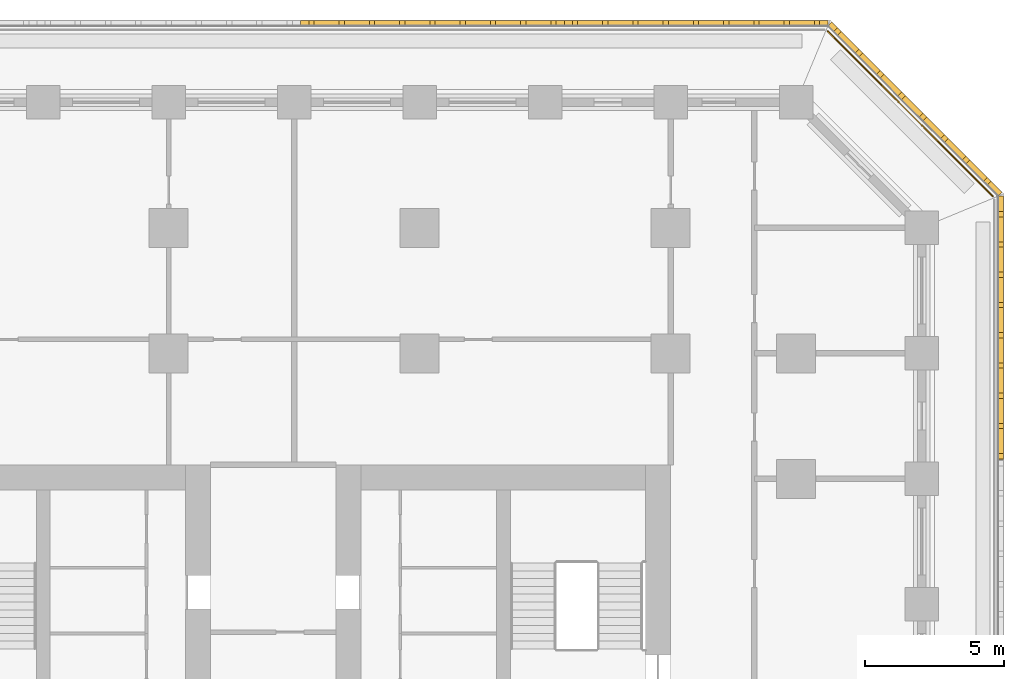
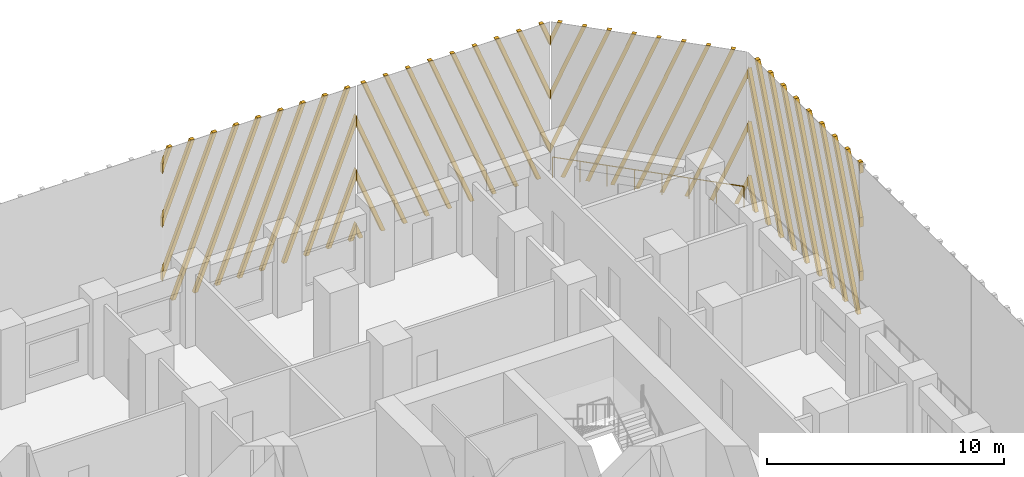
# One storey, part 18 of 19: 4 shading devices, 1 railing.
"""IFC4 building model written with IfcOpenShell, lengths in metres."""

import ifcopenshell
import ifcopenshell.guid

model = None  # the IFC model being written
_history = None  # IfcOwnerHistory: only IFC2X3 demands one
_inside = {}  # id of a spatial element -> (the spatial element, [elements in it])
_under = {}  # id of a project, library or spatial element -> (it, [spatial elements below it])
_declared = {}  # id of a project -> (the project, [libraries it declares])
_typed = {}  # id of a type object -> (the type object, [elements of that type])
_made_of = {}  # id of a material, layer set ... -> (it, [elements and type objects made of it])


def new_model(schema):
    """Start an empty IFC model of exactly this schema.

    Asked for "IFC4X3", IfcOpenShell would pick the latest addendum, in which some entities
    have other attributes; the version numbers below select the first issue.
    IFC2X3 requires an IfcOwnerHistory on every rooted entity: one is made here for all.
    """
    global model, _history
    if schema == "IFC4X3":
        model = ifcopenshell.file(schema_version=(4, 3, 0, 0))
    else:
        model = ifcopenshell.file(schema=schema)
    _inside.clear()
    _under.clear()
    _declared.clear()
    _typed.clear()
    _made_of.clear()
    _history = None
    if model.schema == "IFC2X3":
        org = make("IfcOrganization", Name="unknown")
        user = make(
            "IfcPersonAndOrganization",
            ThePerson=make("IfcPerson", FamilyName="unknown"),
            TheOrganization=org,
        )
        app = make(
            "IfcApplication",
            ApplicationDeveloper=org,
            Version="unknown",
            ApplicationFullName="unknown",
            ApplicationIdentifier="unknown",
        )
        _history = make(
            "IfcOwnerHistory",
            OwningUser=user,
            OwningApplication=app,
            ChangeAction="ADDED",
            CreationDate=0,
        )
    return model


def make(cls, **values):
    """One entity of the class cls with the attributes given. An attribute that is None is left unset."""
    return model.create_entity(
        cls, **{name: value for name, value in values.items() if value is not None}
    )


def rooted(cls, **values):
    """An entity with a GlobalId (a new one), such as an element, a storey or a relation."""
    return make(cls, GlobalId=ifcopenshell.guid.new(), OwnerHistory=_history, **values)


def si_unit(unit_type, name, prefix=None):
    """IfcSIUnit, for example si_unit("LENGTHUNIT", "METRE", prefix="MILLI")."""
    return make("IfcSIUnit", UnitType=unit_type, Prefix=prefix, Name=name)


def assignment(units):
    """IfcUnitAssignment: the units of a project."""
    return None if units is None else make("IfcUnitAssignment", Units=units)


def point(xyz):
    """IfcCartesianPoint."""
    return None if xyz is None else make("IfcCartesianPoint", Coordinates=xyz)


def direction(xyz):
    """IfcDirection."""
    return None if xyz is None else make("IfcDirection", DirectionRatios=xyz)


def frame(location, z_axis=None, x_axis=None):
    """IfcAxis2Placement3D, a coordinate frame: its origin and axes. An axis left out is left unset."""
    return make(
        "IfcAxis2Placement3D",
        Location=point(location),
        Axis=direction(z_axis),
        RefDirection=direction(x_axis),
    )


def frame_2d(location, x_axis=None):
    """IfcAxis2Placement2D, a coordinate frame in the plane: its origin and x axis."""
    return make(
        "IfcAxis2Placement2D", Location=point(location), RefDirection=direction(x_axis)
    )


def origin():
    """The frame at (0, 0, 0) with its axes left unset."""
    return frame((0.0, 0.0, 0.0))


def origin_2d():
    """The frame at (0, 0) in the plane with its x axis left unset."""
    return frame_2d((0.0, 0.0))


def place(relative_to, where):
    """IfcLocalPlacement: puts the frame where relative to a parent placement (None: the world)."""
    return make(
        "IfcLocalPlacement", PlacementRelTo=relative_to, RelativePlacement=where
    )


def context(
    kind, dimensions, precision=None, world=None, true_north=None, identifier=None
):
    """IfcGeometricRepresentationContext, for example the 3D "Model" context."""
    return make(
        "IfcGeometricRepresentationContext",
        ContextIdentifier=identifier,
        ContextType=kind,
        CoordinateSpaceDimension=dimensions,
        Precision=precision,
        WorldCoordinateSystem=world,
        TrueNorth=true_north,
    )


def subcontext(parent, identifier, kind, view, scale=None):
    """IfcGeometricRepresentationSubContext, for example "Body" below "Model"."""
    return make(
        "IfcGeometricRepresentationSubContext",
        ContextIdentifier=identifier,
        ContextType=kind,
        ParentContext=parent,
        TargetScale=scale,
        TargetView=view,
    )


def project(units=None, contexts=None):
    """IfcProject with its units and contexts."""
    return rooted(
        "IfcProject",
        Name="project",
        RepresentationContexts=contexts,
        UnitsInContext=assignment(units),
    )


def spatial(cls, under=None, at=None, **own):
    """A site, building, storey or space (cls), placed at a placement, below another one or the project."""
    s = rooted(cls, ObjectPlacement=at, **own)
    if under is not None:
        _under.setdefault(under.id(), (under, []))[1].append(s)
    return s


def polyline(points):
    """IfcPolyline through the points."""
    return make("IfcPolyline", Points=[point(p) for p in points])


def profile(cls, at=None, kind="AREA", **sizes):
    """A parametric profile (cls). Its sizes go by their IFC names, for example OverallWidth=200.0."""
    return make(cls, ProfileType=kind, Position=at, **sizes)


def circle(**sizes):
    """IfcCircleProfileDef."""
    return profile("IfcCircleProfileDef", **sizes)


def outline(outer, holes=None, kind="AREA"):
    """IfcArbitraryClosedProfileDef: a profile drawn as a closed curve; with holes, ...WithVoids."""
    if holes is None:
        return make("IfcArbitraryClosedProfileDef", ProfileType=kind, OuterCurve=outer)
    return make(
        "IfcArbitraryProfileDefWithVoids",
        ProfileType=kind,
        OuterCurve=outer,
        InnerCurves=holes,
    )


def extrude(swept, where, along, depth):
    """IfcExtrudedAreaSolid: the profile swept, set in the frame where, extruded along a direction by depth."""
    return make(
        "IfcExtrudedAreaSolid",
        SweptArea=swept,
        Position=where,
        ExtrudedDirection=direction(along),
        Depth=depth,
    )


def shape(context_of_items, identifier, shape_type, items):
    """IfcShapeRepresentation: the items that make up one representation, for example the "Body"."""
    return make(
        "IfcShapeRepresentation",
        ContextOfItems=context_of_items,
        RepresentationIdentifier=identifier,
        RepresentationType=shape_type,
        Items=items,
    )


def source(mapping_origin, context_of_items, identifier, shape_type, items):
    """IfcRepresentationMap: a shape defined once, which mapped items show again and again."""
    return make(
        "IfcRepresentationMap",
        MappingOrigin=mapping_origin,
        MappedRepresentation=shape(context_of_items, identifier, shape_type, items),
    )


def transform(
    local_origin,
    x_axis=None,
    y_axis=None,
    z_axis=None,
    scale=None,
    scale2=None,
    scale3=None,
    uniform=True,
):
    """IfcCartesianTransformationOperator3D, or its non-uniform kind. x_axis, y_axis, z_axis: its Axis1, 2, 3."""
    if uniform:
        return make(
            "IfcCartesianTransformationOperator3D",
            Axis1=direction(x_axis),
            Axis2=direction(y_axis),
            LocalOrigin=point(local_origin),
            Scale=scale,
            Axis3=direction(z_axis),
        )
    return make(
        "IfcCartesianTransformationOperator3DnonUniform",
        Axis1=direction(x_axis),
        Axis2=direction(y_axis),
        LocalOrigin=point(local_origin),
        Scale=scale,
        Axis3=direction(z_axis),
        Scale2=scale2,
        Scale3=scale3,
    )


def mapped(mapping_source, mapping_target):
    """IfcMappedItem: shows the shape of a source again, moved by a transform."""
    return make(
        "IfcMappedItem", MappingSource=mapping_source, MappingTarget=mapping_target
    )


def material(Name=None, Category=None):
    """IfcMaterial."""
    return make("IfcMaterial", Name=Name, Category=Category)


def made_of(thing, what):
    """Note that an element or type object is made of a material, layer set ...; save() writes the relation."""
    if what is not None:
        _made_of.setdefault(what.id(), (what, []))[1].append(thing)
    return thing


def type_object(cls, material=None, **own):
    """A type object (cls), such as IfcWallType, which elements share."""
    return made_of(rooted(cls, **own), material)


def element(
    cls,
    number,
    at=None,
    inside=None,
    cuts=None,
    type_object=None,
    material=None,
    context=None,
    identifier="Body",
    shape_type=None,
    held_by="IfcProductDefinitionShape",
    body=None,
    shapes=None,
    **own,
):
    """One element of the class cls, such as IfcWall. Its Tag is "e" and its number.

    at: its placement. inside: the storey or other place that contains it. cuts: it is an
    opening in that element (IfcRelVoidsElement). A single representation is given by context,
    identifier, shape_type and body (its items); several are given by shapes. held_by: the class
    of the entity that holds the representations. save() writes the other relations.
    """
    e = rooted(cls, Tag="e%d" % number, ObjectPlacement=at, **own)
    if body is not None:
        shapes = [shape(context, identifier, shape_type, body)]
    if shapes is not None:
        e.Representation = make(held_by, Representations=shapes)
    if inside is not None:
        _inside.setdefault(inside.id(), (inside, []))[1].append(e)
    if cuts is not None:
        rooted(
            "IfcRelVoidsElement", RelatingBuildingElement=cuts, RelatedOpeningElement=e
        )
    if type_object is not None:
        _typed.setdefault(type_object.id(), (type_object, []))[1].append(e)
    return made_of(e, material)


def aggregate(whole, parts):
    """IfcRelAggregates: a whole, such as a stair, and the parts it consists of."""
    return rooted("IfcRelAggregates", RelatingObject=whole, RelatedObjects=parts)


def save(model, path):
    """Write the relations noted so far, then the file.

    IfcRelAggregates (storeys below a building ...), IfcRelContainedInSpatialStructure (elements
    in a storey), IfcRelDefinesByType, IfcRelAssociatesMaterial and IfcRelDeclares: one each for
    every whole, place, type object, material and project.
    """
    for whole, parts in _under.values():
        aggregate(whole, parts)
    for where, things in _inside.values():
        rooted(
            "IfcRelContainedInSpatialStructure",
            RelatedElements=things,
            RelatingStructure=where,
        )
    for kind, things in _typed.values():
        rooted("IfcRelDefinesByType", RelatedObjects=things, RelatingType=kind)
    for what, things in _made_of.values():
        rooted("IfcRelAssociatesMaterial", RelatedObjects=things, RelatingMaterial=what)
    for by, libraries in _declared.values():
        rooted("IfcRelDeclares", RelatingContext=by, RelatedDefinitions=libraries)
    model.write(path)


model = new_model("IFC4")

# Units and contexts
model_context = context("Model", 3, precision=1e-05, world=origin(), true_north=direction((0.0, 1.0)))
body_context = subcontext(model_context, "Body", "Model", "MODEL_VIEW")
ifc_project = project(units=[si_unit("LENGTHUNIT", "METRE"), si_unit("AREAUNIT", "SQUARE_METRE"), si_unit("VOLUMEUNIT", "CUBIC_METRE"), si_unit("PLANEANGLEUNIT", "RADIAN"), si_unit("MASSUNIT", "GRAM", prefix="KILO")], contexts=[model_context])

# Site, building, storey
site_placement = place(None, origin())
site = spatial("IfcSite", under=ifc_project, at=site_placement, CompositionType="ELEMENT")
building_placement = place(site_placement, origin())
building = spatial("IfcBuilding", under=site, at=building_placement, Name="Corbel Stack Research Tower", CompositionType="ELEMENT")
storey_placement = place(building_placement, frame((0.0, 0.0, 133.10009765625)))
storey = spatial("IfcBuildingStorey", under=building, at=storey_placement, Name="L30", CompositionType="ELEMENT", Elevation=133.10009765625)

# Railing
ifc_material_1 = material(Name="Powder-coated steel guard", Category="steel")
railing_type = type_object("IfcRailingType", Name="Steel and glass guard 1100", PredefinedType="GUARDRAIL", material=ifc_material_1)
railing_placement = place(storey_placement, frame((29.54931640625, 28.127685546875, 0.0)))
element("IfcRailing", 1, at=railing_placement, inside=storey, type_object=railing_type, Name="Loggia guard L30 NE", PredefinedType="GUARDRAIL", context=body_context, shape_type="SweptSolid", body=[
    extrude(circle(Radius=0.02392578125, at=origin_2d()), frame((0.0, 0.0, 1.076171875), z_axis=(-0.707106781187, 0.707106781187, 0.0), x_axis=(-0.707106781187, -0.707106781187, 0.0)), (0.0, 0.0, 1.0), 8.37451171875),
    extrude(circle(Radius=0.02099609375, at=origin_2d()), origin(), (0.0, 0.0, 1.0), 1.052001953125),
    extrude(circle(Radius=0.02099609375, at=origin_2d()), frame((-0.845947265625, 0.845947265625, 0.0)), (0.0, 0.0, 1.0), 1.052001953125),
    extrude(circle(Radius=0.02099609375, at=origin_2d()), frame((-1.69189453125, 1.69189453125, 0.0)), (0.0, 0.0, 1.0), 1.052001953125),
    extrude(circle(Radius=0.02099609375, at=origin_2d()), frame((-2.537841796875, 2.537841796875, 0.0)), (0.0, 0.0, 1.0), 1.052001953125),
    extrude(circle(Radius=0.02099609375, at=origin_2d()), frame((-3.3837890625, 3.3837890625, 0.0)), (0.0, 0.0, 1.0), 1.052001953125),
    extrude(circle(Radius=0.02099609375, at=origin_2d()), frame((-4.229736328125, 4.229736328125, 0.0)), (0.0, 0.0, 1.0), 1.052001953125),
    extrude(circle(Radius=0.02099609375, at=origin_2d()), frame((-5.07568359375, 5.07568359375, 0.0)), (0.0, 0.0, 1.0), 1.052001953125),
    extrude(circle(Radius=0.02099609375, at=origin_2d()), frame((-5.921630859375, 5.921630859375, 0.0)), (0.0, 0.0, 1.0), 1.052001953125),
])

# Shading devices
ifc_material_2 = material(Name="Precast terracotta", Category="masonry")
shading_device_type = type_object("IfcShadingDeviceType", Name="Terracotta screen panel", PredefinedType="USERDEFINED", material=ifc_material_2)
shared_shape_1 = source(origin(), body_context, "Body", "SweptSolid", [
    extrude(outline(polyline([(0.217041015625, 7.949951171875), (0.027099609375, 7.949951171875), (0.0, 7.880859375), (0.0, 7.394287109375), (0.217041015625, 7.949951171875)])), frame((0.0, 0.0, 0.0), z_axis=(0.0, -1.0, 0.0), x_axis=(1.0, 0.0, 0.0)), (0.0, 0.0, 1.0), 0.179931640625),
    extrude(outline(polyline([(1.3017578125, 7.949951171875), (1.11181640625, 7.949951171875), (0.0, 5.103515625), (0.0, 4.616943359375), (1.3017578125, 7.949951171875)])), frame((0.0, 0.0, 0.0), z_axis=(0.0, -1.0, 0.0), x_axis=(1.0, 0.0, 0.0)), (0.0, 0.0, 1.0), 0.179931640625),
    extrude(outline(polyline([(2.386474609375, 7.949951171875), (2.1962890625, 7.949951171875), (0.0, 2.326171875), (0.0, 1.839599609375), (2.386474609375, 7.949951171875)])), frame((0.0, 0.0, 0.0), z_axis=(0.0, -1.0, 0.0), x_axis=(1.0, 0.0, 0.0)), (0.0, 0.0, 1.0), 0.179931640625),
    extrude(outline(polyline([(0.3662109375, 0.0), (3.470947265625, 7.949951171875), (3.281005859375, 7.949951171875), (0.17626953125, 0.0), (0.3662109375, 0.0)])), frame((0.0, 0.0, 0.0), z_axis=(0.0, -1.0, 0.0), x_axis=(1.0, 0.0, 0.0)), (0.0, 0.0, 1.0), 0.179931640625),
    extrude(outline(polyline([(1.45068359375, 0.0), (4.5556640625, 7.949951171875), (4.36572265625, 7.949951171875), (1.2607421875, 0.0), (1.45068359375, 0.0)])), frame((0.0, 0.0, 0.0), z_axis=(0.0, -1.0, 0.0), x_axis=(1.0, 0.0, 0.0)), (0.0, 0.0, 1.0), 0.179931640625),
    extrude(outline(polyline([(2.535400390625, 0.0), (5.640380859375, 7.949951171875), (5.4501953125, 7.949951171875), (2.345458984375, 0.0), (2.535400390625, 0.0)])), frame((0.0, 0.0, 0.0), z_axis=(0.0, -1.0, 0.0), x_axis=(1.0, 0.0, 0.0)), (0.0, 0.0, 1.0), 0.179931640625),
    extrude(outline(polyline([(3.6201171875, 0.0), (6.72509765625, 7.949951171875), (6.534912109375, 7.949951171875), (3.43017578125, 0.0), (3.6201171875, 0.0)])), frame((0.0, 0.0, 0.0), z_axis=(0.0, -1.0, 0.0), x_axis=(1.0, 0.0, 0.0)), (0.0, 0.0, 1.0), 0.179931640625),
    extrude(outline(polyline([(4.704833984375, 0.0), (7.809814453125, 7.949951171875), (7.61962890625, 7.949951171875), (4.514892578125, 0.0), (4.704833984375, 0.0)])), frame((0.0, 0.0, 0.0), z_axis=(0.0, -1.0, 0.0), x_axis=(1.0, 0.0, 0.0)), (0.0, 0.0, 1.0), 0.179931640625),
    extrude(outline(polyline([(5.78955078125, 0.0), (8.894287109375, 7.949951171875), (8.704345703125, 7.949951171875), (5.599609375, 0.0), (5.78955078125, 0.0)])), frame((0.0, 0.0, 0.0), z_axis=(0.0, -1.0, 0.0), x_axis=(1.0, 0.0, 0.0)), (0.0, 0.0, 1.0), 0.179931640625),
    extrude(outline(polyline([(6.874267578125, 0.0), (9.45556640625, 6.60986328125), (9.45556640625, 7.096435546875), (6.68408203125, 0.0), (6.874267578125, 0.0)])), frame((0.0, 0.0, 0.0), z_axis=(0.0, -1.0, 0.0), x_axis=(1.0, 0.0, 0.0)), (0.0, 0.0, 1.0), 0.179931640625),
    extrude(outline(polyline([(7.958740234375, 0.0), (9.45556640625, 3.83251953125), (9.45556640625, 4.319091796875), (7.768798828125, 0.0), (7.958740234375, 0.0)])), frame((0.0, 0.0, 0.0), z_axis=(0.0, -1.0, 0.0), x_axis=(1.0, 0.0, 0.0)), (0.0, 0.0, 1.0), 0.179931640625),
    extrude(outline(polyline([(9.04345703125, 0.0), (9.45556640625, 1.055419921875), (9.45556640625, 1.541748046875), (8.853515625, 0.0), (9.04345703125, 0.0)])), frame((0.0, 0.0, 0.0), z_axis=(0.0, -1.0, 0.0), x_axis=(1.0, 0.0, 0.0)), (0.0, 0.0, 1.0), 0.179931640625),
])
shading_device_1_placement = place(storey_placement, frame((29.75, 18.68359375, 0.0), z_axis=(0.0, 0.0, 1.0), x_axis=(0.0, 1.0, 0.0)))
element("IfcShadingDevice", 2, at=shading_device_1_placement, inside=storey, type_object=shading_device_type, Name="Terracotta screen L30 E5", ObjectType="SCREEN", PredefinedType="USERDEFINED", context=body_context, shape_type="MappedRepresentation", body=[
    mapped(shared_shape_1, transform((0.0, 0.0, 0.0))),
])
shared_shape_2 = source(origin(), body_context, "Body", "SweptSolid", [
    extrude(outline(polyline([(0.60205078125, 0.0), (0.0, 1.541748046875), (0.0, 1.055419921875), (0.412109375, 0.0), (0.60205078125, 0.0)])), frame((0.0, 0.0, 0.0), z_axis=(0.0, -1.0, 0.0), x_axis=(1.0, 0.0, 0.0)), (0.0, 0.0, 1.0), 0.179931640625),
    extrude(outline(polyline([(1.686767578125, 0.0), (0.0, 4.319091796875), (0.0, 3.83251953125), (1.496826171875, 0.0), (1.686767578125, 0.0)])), frame((0.0, 0.0, 0.0), z_axis=(0.0, -1.0, 0.0), x_axis=(1.0, 0.0, 0.0)), (0.0, 0.0, 1.0), 0.179931640625),
    extrude(outline(polyline([(2.771484375, 0.0), (0.0, 7.096435546875), (0.0, 6.60986328125), (2.58154296875, 0.0), (2.771484375, 0.0)])), frame((0.0, 0.0, 0.0), z_axis=(0.0, -1.0, 0.0), x_axis=(1.0, 0.0, 0.0)), (0.0, 0.0, 1.0), 0.179931640625),
    extrude(outline(polyline([(3.856201171875, 0.0), (0.751220703125, 7.949951171875), (0.561279296875, 7.949951171875), (3.666015625, 0.0), (3.856201171875, 0.0)])), frame((0.0, 0.0, 0.0), z_axis=(0.0, -1.0, 0.0), x_axis=(1.0, 0.0, 0.0)), (0.0, 0.0, 1.0), 0.179931640625),
    extrude(outline(polyline([(4.94091796875, 0.0), (1.8359375, 7.949951171875), (1.64599609375, 7.949951171875), (4.750732421875, 0.0), (4.94091796875, 0.0)])), frame((0.0, 0.0, 0.0), z_axis=(0.0, -1.0, 0.0), x_axis=(1.0, 0.0, 0.0)), (0.0, 0.0, 1.0), 0.179931640625),
    extrude(outline(polyline([(6.025390625, 0.0), (2.920654296875, 7.949951171875), (2.730712890625, 7.949951171875), (5.83544921875, 0.0), (6.025390625, 0.0)])), frame((0.0, 0.0, 0.0), z_axis=(0.0, -1.0, 0.0), x_axis=(1.0, 0.0, 0.0)), (0.0, 0.0, 1.0), 0.179931640625),
    extrude(outline(polyline([(7.110107421875, 0.0), (4.00537109375, 7.949951171875), (3.815185546875, 7.949951171875), (6.920166015625, 0.0), (7.110107421875, 0.0)])), frame((0.0, 0.0, 0.0), z_axis=(0.0, -1.0, 0.0), x_axis=(1.0, 0.0, 0.0)), (0.0, 0.0, 1.0), 0.179931640625),
    extrude(outline(polyline([(8.19482421875, 0.0), (5.090087890625, 7.949951171875), (4.89990234375, 7.949951171875), (8.0048828125, 0.0), (8.19482421875, 0.0)])), frame((0.0, 0.0, 0.0), z_axis=(0.0, -1.0, 0.0), x_axis=(1.0, 0.0, 0.0)), (0.0, 0.0, 1.0), 0.179931640625),
    extrude(outline(polyline([(6.174560546875, 7.949951171875), (5.984619140625, 7.949951171875), (8.64208984375, 1.1455078125), (8.64208984375, 1.6318359375), (6.174560546875, 7.949951171875)])), frame((0.0, 0.0, 0.0), z_axis=(0.0, -1.0, 0.0), x_axis=(1.0, 0.0, 0.0)), (0.0, 0.0, 1.0), 0.179931640625),
    extrude(outline(polyline([(7.25927734375, 7.949951171875), (7.0693359375, 7.949951171875), (8.64208984375, 3.922607421875), (8.64208984375, 4.4091796875), (7.25927734375, 7.949951171875)])), frame((0.0, 0.0, 0.0), z_axis=(0.0, -1.0, 0.0), x_axis=(1.0, 0.0, 0.0)), (0.0, 0.0, 1.0), 0.179931640625),
    extrude(outline(polyline([(8.343994140625, 7.949951171875), (8.15380859375, 7.949951171875), (8.64208984375, 6.699951171875), (8.64208984375, 7.1865234375), (8.343994140625, 7.949951171875)])), frame((0.0, 0.0, 0.0), z_axis=(0.0, -1.0, 0.0), x_axis=(1.0, 0.0, 0.0)), (0.0, 0.0, 1.0), 0.179931640625),
])
shading_device_2_placement = place(storey_placement, frame((29.75, 28.13916015625, 0.0), z_axis=(0.0, 0.0, 1.0), x_axis=(-0.707106781187, 0.707106781187, 0.0)))
element("IfcShadingDevice", 3, at=shading_device_2_placement, inside=storey, type_object=shading_device_type, Name="Terracotta screen L30 NE1", ObjectType="SCREEN", PredefinedType="USERDEFINED", context=body_context, shape_type="MappedRepresentation", body=[
    mapped(shared_shape_2, transform((0.0, 0.0, 0.0))),
])
shared_shape_3 = source(origin(), body_context, "Body", "SweptSolid", [
    extrude(outline(polyline([(0.48828125, 7.949951171875), (0.298095703125, 7.949951171875), (0.0, 7.1865234375), (0.0, 6.699951171875), (0.48828125, 7.949951171875)])), frame((0.0, 0.0, 0.0), z_axis=(0.0, -1.0, 0.0), x_axis=(1.0, 0.0, 0.0)), (0.0, 0.0, 1.0), 0.179931640625),
    extrude(outline(polyline([(1.572998046875, 7.949951171875), (1.3828125, 7.949951171875), (0.0, 4.4091796875), (0.0, 3.922607421875), (1.572998046875, 7.949951171875)])), frame((0.0, 0.0, 0.0), z_axis=(0.0, -1.0, 0.0), x_axis=(1.0, 0.0, 0.0)), (0.0, 0.0, 1.0), 0.179931640625),
    extrude(outline(polyline([(2.657470703125, 7.949951171875), (2.467529296875, 7.949951171875), (0.0, 1.6318359375), (0.0, 1.1455078125), (2.657470703125, 7.949951171875)])), frame((0.0, 0.0, 0.0), z_axis=(0.0, -1.0, 0.0), x_axis=(1.0, 0.0, 0.0)), (0.0, 0.0, 1.0), 0.179931640625),
    extrude(outline(polyline([(0.63720703125, 0.0), (3.7421875, 7.949951171875), (3.55224609375, 7.949951171875), (0.447265625, 0.0), (0.63720703125, 0.0)])), frame((0.0, 0.0, 0.0), z_axis=(0.0, -1.0, 0.0), x_axis=(1.0, 0.0, 0.0)), (0.0, 0.0, 1.0), 0.179931640625),
    extrude(outline(polyline([(1.721923828125, 0.0), (4.826904296875, 7.949951171875), (4.636962890625, 7.949951171875), (1.531982421875, 0.0), (1.721923828125, 0.0)])), frame((0.0, 0.0, 0.0), z_axis=(0.0, -1.0, 0.0), x_axis=(1.0, 0.0, 0.0)), (0.0, 0.0, 1.0), 0.179931640625),
    extrude(outline(polyline([(2.806640625, 0.0), (5.91162109375, 7.949951171875), (5.721435546875, 7.949951171875), (2.61669921875, 0.0), (2.806640625, 0.0)])), frame((0.0, 0.0, 0.0), z_axis=(0.0, -1.0, 0.0), x_axis=(1.0, 0.0, 0.0)), (0.0, 0.0, 1.0), 0.179931640625),
    extrude(outline(polyline([(3.891357421875, 0.0), (6.99609375, 7.949951171875), (6.80615234375, 7.949951171875), (3.701416015625, 0.0), (3.891357421875, 0.0)])), frame((0.0, 0.0, 0.0), z_axis=(0.0, -1.0, 0.0), x_axis=(1.0, 0.0, 0.0)), (0.0, 0.0, 1.0), 0.179931640625),
    extrude(outline(polyline([(4.97607421875, 0.0), (8.080810546875, 7.949951171875), (7.890869140625, 7.949951171875), (4.785888671875, 0.0), (4.97607421875, 0.0)])), frame((0.0, 0.0, 0.0), z_axis=(0.0, -1.0, 0.0), x_axis=(1.0, 0.0, 0.0)), (0.0, 0.0, 1.0), 0.179931640625),
    extrude(outline(polyline([(6.060791015625, 0.0), (9.16552734375, 7.949951171875), (8.9755859375, 7.949951171875), (5.87060546875, 0.0), (6.060791015625, 0.0)])), frame((0.0, 0.0, 0.0), z_axis=(0.0, -1.0, 0.0), x_axis=(1.0, 0.0, 0.0)), (0.0, 0.0, 1.0), 0.179931640625),
    extrude(outline(polyline([(7.145263671875, 0.0), (9.45556640625, 5.91552734375), (9.45556640625, 6.402099609375), (6.955322265625, 0.0), (7.145263671875, 0.0)])), frame((0.0, 0.0, 0.0), z_axis=(0.0, -1.0, 0.0), x_axis=(1.0, 0.0, 0.0)), (0.0, 0.0, 1.0), 0.179931640625),
    extrude(outline(polyline([(8.22998046875, 0.0), (9.45556640625, 3.13818359375), (9.45556640625, 3.624755859375), (8.0400390625, 0.0), (8.22998046875, 0.0)])), frame((0.0, 0.0, 0.0), z_axis=(0.0, -1.0, 0.0), x_axis=(1.0, 0.0, 0.0)), (0.0, 0.0, 1.0), 0.179931640625),
    extrude(outline(polyline([(9.314697265625, 0.0), (9.45556640625, 0.361083984375), (9.45556640625, 0.847412109375), (9.124755859375, 0.0), (9.314697265625, 0.0)])), frame((0.0, 0.0, 0.0), z_axis=(0.0, -1.0, 0.0), x_axis=(1.0, 0.0, 0.0)), (0.0, 0.0, 1.0), 0.179931640625),
])
shading_device_3_placement = place(storey_placement, frame((23.63916015625, 34.25, 0.0), z_axis=(0.0, 0.0, 1.0), x_axis=(-1.0, 0.0, 0.0)))
element("IfcShadingDevice", 4, at=shading_device_3_placement, inside=storey, type_object=shading_device_type, Name="Terracotta screen L30 N1", ObjectType="SCREEN", PredefinedType="USERDEFINED", context=body_context, shape_type="MappedRepresentation", body=[
    mapped(shared_shape_3, transform((0.0, 0.0, 0.0))),
])
shared_shape_4 = source(origin(), body_context, "Body", "SweptSolid", [
    extrude(outline(polyline([(0.3310546875, 0.0), (0.0, 0.847412109375), (0.0, 0.361083984375), (0.14111328125, 0.0), (0.3310546875, 0.0)])), frame((0.0, 0.0, 0.0), z_axis=(0.0, -1.0, 0.0), x_axis=(1.0, 0.0, 0.0)), (0.0, 0.0, 1.0), 0.179931640625),
    extrude(outline(polyline([(1.41552734375, 0.0), (0.0, 3.624755859375), (0.0, 3.13818359375), (1.2255859375, 0.0), (1.41552734375, 0.0)])), frame((0.0, 0.0, 0.0), z_axis=(0.0, -1.0, 0.0), x_axis=(1.0, 0.0, 0.0)), (0.0, 0.0, 1.0), 0.179931640625),
    extrude(outline(polyline([(2.500244140625, 0.0), (0.0, 6.402099609375), (0.0, 5.91552734375), (2.310302734375, 0.0), (2.500244140625, 0.0)])), frame((0.0, 0.0, 0.0), z_axis=(0.0, -1.0, 0.0), x_axis=(1.0, 0.0, 0.0)), (0.0, 0.0, 1.0), 0.179931640625),
    extrude(outline(polyline([(3.5849609375, 0.0), (0.47998046875, 7.949951171875), (0.2900390625, 7.949951171875), (3.39501953125, 0.0), (3.5849609375, 0.0)])), frame((0.0, 0.0, 0.0), z_axis=(0.0, -1.0, 0.0), x_axis=(1.0, 0.0, 0.0)), (0.0, 0.0, 1.0), 0.179931640625),
    extrude(outline(polyline([(4.669677734375, 0.0), (1.564697265625, 7.949951171875), (1.374755859375, 7.949951171875), (4.4794921875, 0.0), (4.669677734375, 0.0)])), frame((0.0, 0.0, 0.0), z_axis=(0.0, -1.0, 0.0), x_axis=(1.0, 0.0, 0.0)), (0.0, 0.0, 1.0), 0.179931640625),
    extrude(outline(polyline([(5.75439453125, 0.0), (2.6494140625, 7.949951171875), (2.45947265625, 7.949951171875), (5.564208984375, 0.0), (5.75439453125, 0.0)])), frame((0.0, 0.0, 0.0), z_axis=(0.0, -1.0, 0.0), x_axis=(1.0, 0.0, 0.0)), (0.0, 0.0, 1.0), 0.179931640625),
    extrude(outline(polyline([(6.839111328125, 0.0), (3.734130859375, 7.949951171875), (3.544189453125, 7.949951171875), (6.64892578125, 0.0), (6.839111328125, 0.0)])), frame((0.0, 0.0, 0.0), z_axis=(0.0, -1.0, 0.0), x_axis=(1.0, 0.0, 0.0)), (0.0, 0.0, 1.0), 0.179931640625),
    extrude(outline(polyline([(7.923583984375, 0.0), (4.81884765625, 7.949951171875), (4.62890625, 7.949951171875), (7.733642578125, 0.0), (7.923583984375, 0.0)])), frame((0.0, 0.0, 0.0), z_axis=(0.0, -1.0, 0.0), x_axis=(1.0, 0.0, 0.0)), (0.0, 0.0, 1.0), 0.179931640625),
    extrude(outline(polyline([(9.00830078125, 0.0), (5.903564453125, 7.949951171875), (5.71337890625, 7.949951171875), (8.818359375, 0.0), (9.00830078125, 0.0)])), frame((0.0, 0.0, 0.0), z_axis=(0.0, -1.0, 0.0), x_axis=(1.0, 0.0, 0.0)), (0.0, 0.0, 1.0), 0.179931640625),
    extrude(outline(polyline([(6.988037109375, 7.949951171875), (6.798095703125, 7.949951171875), (9.45556640625, 1.1455078125), (9.45556640625, 1.6318359375), (6.988037109375, 7.949951171875)])), frame((0.0, 0.0, 0.0), z_axis=(0.0, -1.0, 0.0), x_axis=(1.0, 0.0, 0.0)), (0.0, 0.0, 1.0), 0.179931640625),
    extrude(outline(polyline([(8.07275390625, 7.949951171875), (7.8828125, 7.949951171875), (9.45556640625, 3.922607421875), (9.45556640625, 4.4091796875), (8.07275390625, 7.949951171875)])), frame((0.0, 0.0, 0.0), z_axis=(0.0, -1.0, 0.0), x_axis=(1.0, 0.0, 0.0)), (0.0, 0.0, 1.0), 0.179931640625),
    extrude(outline(polyline([(9.157470703125, 7.949951171875), (8.96728515625, 7.949951171875), (9.45556640625, 6.699951171875), (9.45556640625, 7.1865234375), (9.157470703125, 7.949951171875)])), frame((0.0, 0.0, 0.0), z_axis=(0.0, -1.0, 0.0), x_axis=(1.0, 0.0, 0.0)), (0.0, 0.0, 1.0), 0.179931640625),
])
shading_device_4_placement = place(storey_placement, frame((14.18359375, 34.25, 0.0), z_axis=(0.0, 0.0, 1.0), x_axis=(-1.0, 0.0, 0.0)))
element("IfcShadingDevice", 5, at=shading_device_4_placement, inside=storey, type_object=shading_device_type, Name="Terracotta screen L30 N2", ObjectType="SCREEN", PredefinedType="USERDEFINED", context=body_context, shape_type="MappedRepresentation", body=[
    mapped(shared_shape_4, transform((0.0, 0.0, 0.0))),
])

save(model, "model.ifc")
